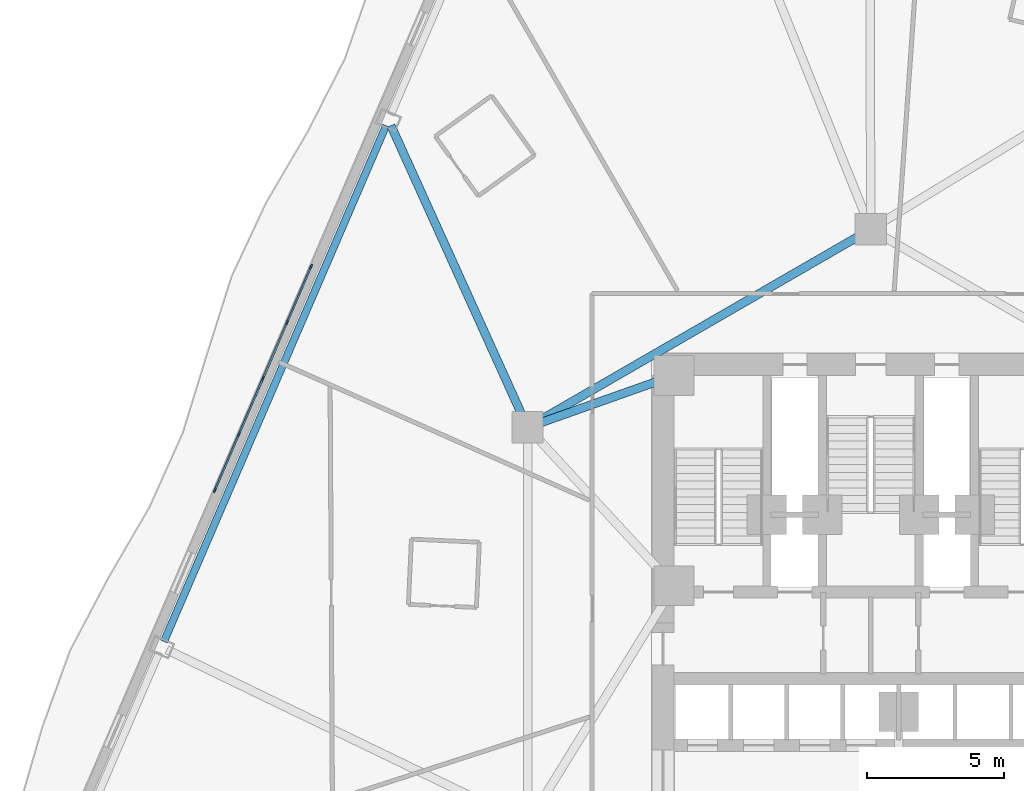
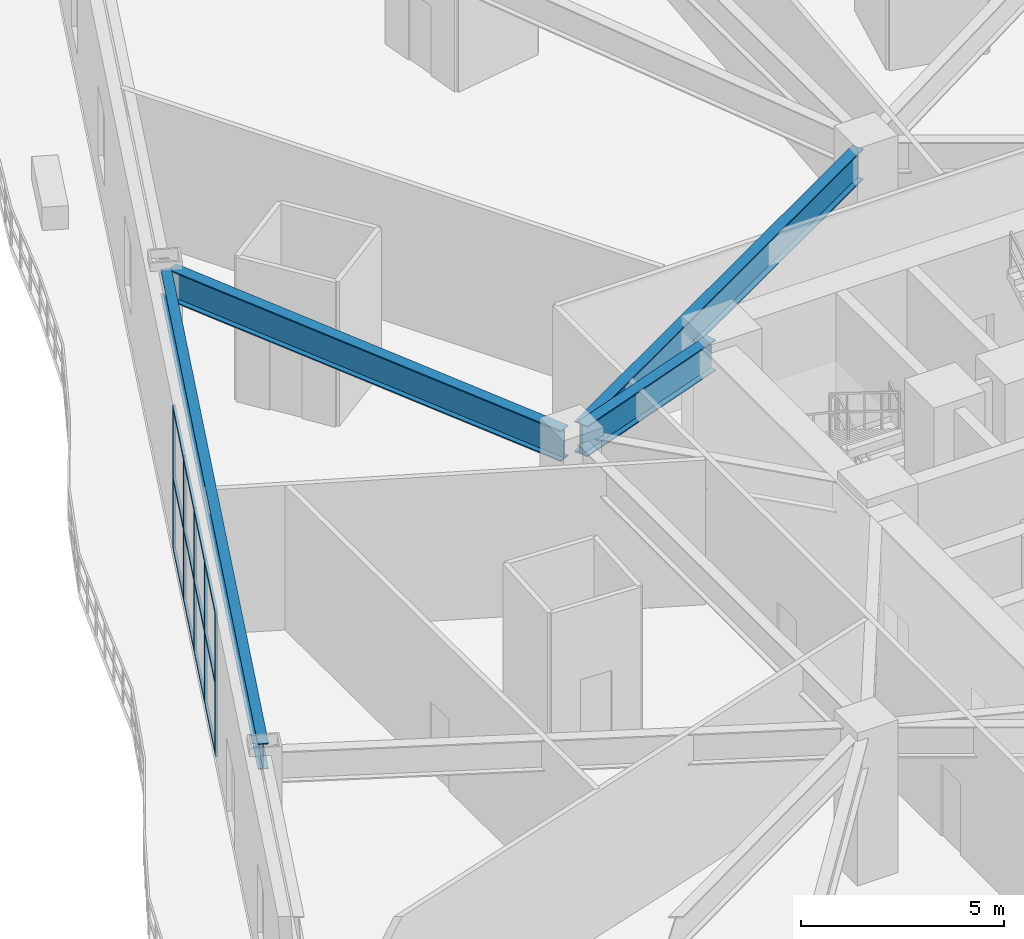
# One storey, part 4 of 21: 17 members, 4 beams, 1 element without a shape of its own.
"""IFC4 building model written with IfcOpenShell, lengths in metres."""

from ifc_helpers import new_model, si_unit, direction, frame, origin, origin_2d, place, context, subcontext, project, spatial, rectangle, i_section, extrude, material, layer, layer_set, material_profile, profile_set, type_object, element, aggregate, save


model = new_model("IFC4")

# Units and contexts
model_context = context("Model", 3, precision=1e-05, world=origin(), true_north=direction((0.0, 1.0)))
body_context = subcontext(model_context, "Body", "Model", "MODEL_VIEW")
ifc_project = project(units=[si_unit("LENGTHUNIT", "METRE"), si_unit("AREAUNIT", "SQUARE_METRE"), si_unit("VOLUMEUNIT", "CUBIC_METRE"), si_unit("PLANEANGLEUNIT", "RADIAN"), si_unit("MASSUNIT", "GRAM", prefix="KILO")], contexts=[model_context])

# Site, building, storey
site_placement = place(None, origin())
site = spatial("IfcSite", under=ifc_project, at=site_placement, CompositionType="ELEMENT")
building_placement = place(site_placement, origin())
building = spatial("IfcBuilding", under=site, at=building_placement, Name="Apsidion Concourse Tower", CompositionType="ELEMENT")
storey_placement = place(building_placement, frame((0.0, 0.0, 62.39990234375)))
storey = spatial("IfcBuildingStorey", under=building, at=storey_placement, Name="L13", CompositionType="ELEMENT", Elevation=62.39990234375)

# Beams
ifc_material_1 = material(Name="Structural steel ASTM A992 Grade 50", Category="steel")
ifc_material_profile_1 = material_profile(ifc_material_1, i_section(OverallWidth=0.31005859375, OverallDepth=0.931884765625, WebThickness=0.02099609375, FlangeThickness=0.034423828125, at=origin_2d()), Name="W36X210")
ifc_profile_set_1 = profile_set([ifc_material_profile_1], Name="Structural steel ASTM A992 Grade 50")
beam_type_1 = type_object("IfcBeamType", Name="BM-G-W36", PredefinedType="USERDEFINED", material=ifc_profile_set_1)
beam_1_placement = place(storey_placement, frame((-12.18310546875, 7.383544921875, 3.884033203125), z_axis=(0.942533844539, 0.334110688094, 0.0), x_axis=(-0.334110688094, 0.942533844539, 0.0)))
element("IfcBeam", 1, at=beam_1_placement, inside=storey, type_object=beam_type_1, Name="L13 Core Coupling Girder IC5-SC5", ObjectType="GIRDER", PredefinedType="USERDEFINED", context=body_context, shape_type="SweptSolid", body=[
    extrude(i_section(OverallWidth=0.31005859375, OverallDepth=0.931884765625, WebThickness=0.02099609375, FlangeThickness=0.034423828125, at=origin_2d()), origin(), (0.0, 0.0, 1.0), 4.886962890625),
])
beam_2_placement = place(storey_placement, frame((-12.213623046875, 7.449951171875, 3.884033203125), z_axis=(0.866070471464, 0.499921932364, 0.0), x_axis=(-0.499921932364, 0.866070471464, 0.0)))
element("IfcBeam", 2, at=beam_2_placement, inside=storey, type_object=beam_type_1, Name="L13 Core Coupling Girder IC5-IC4", ObjectType="GIRDER", PredefinedType="USERDEFINED", context=body_context, shape_type="SweptSolid", body=[
    extrude(i_section(OverallWidth=0.31005859375, OverallDepth=0.931884765625, WebThickness=0.02099609375, FlangeThickness=0.034423828125, at=origin_2d()), origin(), (0.0, 0.0, 1.0), 13.702392578125),
])
beam_3_placement = place(storey_placement, frame((-12.650634765625, 7.450439453125, 3.884033203125), z_axis=(-0.412253816474, 0.911069037342, 0.0), x_axis=(-0.911069037342, -0.412253816474, 0.0)))
element("IfcBeam", 3, at=beam_3_placement, inside=storey, type_object=beam_type_1, Name="L13 Radial Floor Girder RAD-02", ObjectType="GIRDER", PredefinedType="USERDEFINED", context=body_context, shape_type="SweptSolid", body=[
    extrude(i_section(OverallWidth=0.31005859375, OverallDepth=0.931884765625, WebThickness=0.02099609375, FlangeThickness=0.034423828125, at=origin_2d()), origin(), (0.0, 0.0, 1.0), 11.90234375),
])
ifc_material_profile_2 = material_profile(ifc_material_1, i_section(OverallWidth=0.26806640625, OverallDepth=0.77001953125, WebThickness=0.015625, FlangeThickness=0.025390625, at=origin_2d()), Name="W30X132")
ifc_profile_set_2 = profile_set([ifc_material_profile_2], Name="Structural steel ASTM A992 Grade 50")
beam_type_2 = type_object("IfcBeamType", Name="BM-SP-W30", PredefinedType="SPANDREL", material=ifc_profile_set_2)
beam_4_placement = place(storey_placement, frame((-17.735107421875, 18.29248046875, 3.965087890625), z_axis=(-0.395530023745, -0.918453047421, 0.0), x_axis=(0.918453047421, -0.395530023745, 0.0)))
element("IfcBeam", 4, at=beam_4_placement, inside=storey, type_object=beam_type_2, Name="L13 Perimeter Spandrel Girder SP-02", PredefinedType="SPANDREL", context=body_context, shape_type="SweptSolid", body=[
    extrude(i_section(OverallWidth=0.26806640625, OverallDepth=0.77001953125, WebThickness=0.015625, FlangeThickness=0.025390625, at=origin_2d()), origin(), (0.0, 0.0, 1.0), 20.5537109375),
])

# Curtain wall, members
ifc_material_2 = material(Name="Insulated laminated low-E glass", Category="glass")
ifc_layer = layer(ifc_material_2, 0.2099609375)
ifc_layer_set = layer_set([ifc_layer], Name="Insulated laminated low-E glass")
curtain_wall_type = type_object("IfcCurtainWallType", Name="CW-SYS-03", PredefinedType="NOTDEFINED", material=ifc_layer_set)
curtain_wall_placement = place(storey_placement, origin())
curtain_wall = element("IfcCurtainWall", 5, at=curtain_wall_placement, inside=storey, type_object=curtain_wall_type, Name="L13 Sky Lobby Curtain Wall 9", PredefinedType="NOTDEFINED")
ifc_material_3 = material(Name="Anodised aluminium EN AW-6063 T6", Category="aluminium")
ifc_material_profile_3 = material_profile(ifc_material_3, rectangle(XDim=0.06494140625, YDim=0.179931640625, at=origin_2d()), Name="ALU MULLION 65x180")
ifc_profile_set_3 = profile_set([ifc_material_profile_3], Name="Anodised aluminium EN AW-6063 T6")
member_type_1 = type_object("IfcMemberType", Name="CWM-65X180", PredefinedType="MULLION", material=ifc_profile_set_3)
member_1_placement = place(storey_placement, frame((-24.001953125, 4.9521484375, 0.0), z_axis=(0.0, 0.0, 1.0), x_axis=(-0.918500728554, 0.395419285879, 0.0)))
member_1 = element("IfcMember", 6, at=member_1_placement, type_object=member_type_1, Name="CW-03 mullion 1", PredefinedType="MULLION", context=body_context, shape_type="SweptSolid", body=[
    extrude(rectangle(XDim=0.06494140625, YDim=0.179931640625, at=origin_2d()), origin(), (0.0, 0.0, 1.0), 4.300048828125),
])
member_2_placement = place(storey_placement, frame((-23.12841796875, 6.9814453125, 0.0), z_axis=(0.0, 0.0, 1.0), x_axis=(-0.918500728554, 0.395419285879, 0.0)))
member_2 = element("IfcMember", 7, at=member_2_placement, type_object=member_type_1, Name="CW-03 mullion 2", PredefinedType="MULLION", context=body_context, shape_type="SweptSolid", body=[
    extrude(rectangle(XDim=0.06494140625, YDim=0.179931640625, at=origin_2d()), origin(), (0.0, 0.0, 1.0), 4.300048828125),
])
member_3_placement = place(storey_placement, frame((-22.24169921875, 9.040771484375, 0.0), z_axis=(0.0, 0.0, 1.0), x_axis=(-0.918500728554, 0.395419285879, 0.0)))
member_3 = element("IfcMember", 8, at=member_3_placement, type_object=member_type_1, Name="CW-03 mullion 3", PredefinedType="MULLION", context=body_context, shape_type="SweptSolid", body=[
    extrude(rectangle(XDim=0.06494140625, YDim=0.179931640625, at=origin_2d()), origin(), (0.0, 0.0, 1.0), 4.300048828125),
])
member_4_placement = place(storey_placement, frame((-21.355224609375, 11.10009765625, 0.0), z_axis=(0.0, 0.0, 1.0), x_axis=(-0.918500728554, 0.395419285879, 0.0)))
member_4 = element("IfcMember", 9, at=member_4_placement, type_object=member_type_1, Name="CW-03 mullion 4", PredefinedType="MULLION", context=body_context, shape_type="SweptSolid", body=[
    extrude(rectangle(XDim=0.06494140625, YDim=0.179931640625, at=origin_2d()), origin(), (0.0, 0.0, 1.0), 4.300048828125),
])
member_5_placement = place(storey_placement, frame((-20.4814453125, 13.129638671875, 0.0), z_axis=(0.0, 0.0, 1.0), x_axis=(-0.918500728554, 0.395419285879, 0.0)))
member_5 = element("IfcMember", 10, at=member_5_placement, type_object=member_type_1, Name="CW-03 mullion 5", PredefinedType="MULLION", context=body_context, shape_type="SweptSolid", body=[
    extrude(rectangle(XDim=0.06494140625, YDim=0.179931640625, at=origin_2d()), origin(), (0.0, 0.0, 1.0), 4.300048828125),
])
ifc_material_profile_4 = material_profile(ifc_material_3, rectangle(XDim=0.06494140625, YDim=0.139892578125, at=origin_2d()), Name="ALU TRANSOM 65x140")
ifc_profile_set_4 = profile_set([ifc_material_profile_4], Name="Anodised aluminium EN AW-6063 T6")
member_type_2 = type_object("IfcMemberType", Name="CWT-65X140", PredefinedType="USERDEFINED", material=ifc_profile_set_4)
member_6_placement = place(storey_placement, frame((-23.9892578125, 4.98193359375, 0.03271484375), z_axis=(0.395485027283, 0.918472423753, 0.0), x_axis=(-0.918472423753, 0.395485027283, 0.0)))
member_6 = element("IfcMember", 11, at=member_6_placement, type_object=member_type_2, Name="CW-03 transom 1.1", ObjectType="TRANSOM", PredefinedType="USERDEFINED", context=body_context, shape_type="SweptSolid", body=[
    extrude(rectangle(XDim=0.06494140625, YDim=0.139892578125, at=origin_2d()), origin(), (0.0, 0.0, 1.0), 2.14453125),
])
member_7_placement = place(storey_placement, frame((-23.9892578125, 4.98193359375, 2.150146484375), z_axis=(0.395485027283, 0.918472423753, 0.0), x_axis=(-0.918472423753, 0.395485027283, 0.0)))
member_7 = element("IfcMember", 12, at=member_7_placement, type_object=member_type_2, Name="CW-03 transom 1.2", ObjectType="TRANSOM", PredefinedType="USERDEFINED", context=body_context, shape_type="SweptSolid", body=[
    extrude(rectangle(XDim=0.06494140625, YDim=0.139892578125, at=origin_2d()), origin(), (0.0, 0.0, 1.0), 2.14453125),
])
member_8_placement = place(storey_placement, frame((-23.9892578125, 4.98193359375, 4.267578125), z_axis=(0.395485027283, 0.918472423753, 0.0), x_axis=(-0.918472423753, 0.395485027283, 0.0)))
member_8 = element("IfcMember", 13, at=member_8_placement, type_object=member_type_2, Name="CW-03 transom 1.3", ObjectType="TRANSOM", PredefinedType="USERDEFINED", context=body_context, shape_type="SweptSolid", body=[
    extrude(rectangle(XDim=0.06494140625, YDim=0.139892578125, at=origin_2d()), origin(), (0.0, 0.0, 1.0), 2.14453125),
])
member_9_placement = place(storey_placement, frame((-23.115478515625, 7.011474609375, 0.03271484375), z_axis=(0.395434697662, 0.918494093549, 0.0), x_axis=(-0.918494093549, 0.395434697662, 0.0)))
member_9 = element("IfcMember", 14, at=member_9_placement, type_object=member_type_2, Name="CW-03 transom 2.1", ObjectType="TRANSOM", PredefinedType="USERDEFINED", context=body_context, shape_type="SweptSolid", body=[
    extrude(rectangle(XDim=0.06494140625, YDim=0.139892578125, at=origin_2d()), origin(), (0.0, 0.0, 1.0), 2.177001953125),
])
member_10_placement = place(storey_placement, frame((-23.115478515625, 7.011474609375, 2.150146484375), z_axis=(0.395434697662, 0.918494093549, 0.0), x_axis=(-0.918494093549, 0.395434697662, 0.0)))
member_10 = element("IfcMember", 15, at=member_10_placement, type_object=member_type_2, Name="CW-03 transom 2.2", ObjectType="TRANSOM", PredefinedType="USERDEFINED", context=body_context, shape_type="SweptSolid", body=[
    extrude(rectangle(XDim=0.06494140625, YDim=0.139892578125, at=origin_2d()), origin(), (0.0, 0.0, 1.0), 2.177001953125),
])
member_11_placement = place(storey_placement, frame((-23.115478515625, 7.011474609375, 4.267578125), z_axis=(0.395434697662, 0.918494093549, 0.0), x_axis=(-0.918494093549, 0.395434697662, 0.0)))
member_11 = element("IfcMember", 16, at=member_11_placement, type_object=member_type_2, Name="CW-03 transom 2.3", ObjectType="TRANSOM", PredefinedType="USERDEFINED", context=body_context, shape_type="SweptSolid", body=[
    extrude(rectangle(XDim=0.06494140625, YDim=0.139892578125, at=origin_2d()), origin(), (0.0, 0.0, 1.0), 2.177001953125),
])
member_12_placement = place(storey_placement, frame((-22.22900390625, 9.07080078125, 0.03271484375), z_axis=(0.395434697662, 0.918494093549, 0.0), x_axis=(-0.918494093549, 0.395434697662, 0.0)))
member_12 = element("IfcMember", 17, at=member_12_placement, type_object=member_type_2, Name="CW-03 transom 3.1", ObjectType="TRANSOM", PredefinedType="USERDEFINED", context=body_context, shape_type="SweptSolid", body=[
    extrude(rectangle(XDim=0.06494140625, YDim=0.139892578125, at=origin_2d()), origin(), (0.0, 0.0, 1.0), 2.177001953125),
])
member_13_placement = place(storey_placement, frame((-22.22900390625, 9.07080078125, 2.150146484375), z_axis=(0.395434697662, 0.918494093549, 0.0), x_axis=(-0.918494093549, 0.395434697662, 0.0)))
member_13 = element("IfcMember", 18, at=member_13_placement, type_object=member_type_2, Name="CW-03 transom 3.2", ObjectType="TRANSOM", PredefinedType="USERDEFINED", context=body_context, shape_type="SweptSolid", body=[
    extrude(rectangle(XDim=0.06494140625, YDim=0.139892578125, at=origin_2d()), origin(), (0.0, 0.0, 1.0), 2.177001953125),
])
member_14_placement = place(storey_placement, frame((-22.22900390625, 9.07080078125, 4.267578125), z_axis=(0.395434697662, 0.918494093549, 0.0), x_axis=(-0.918494093549, 0.395434697662, 0.0)))
member_14 = element("IfcMember", 19, at=member_14_placement, type_object=member_type_2, Name="CW-03 transom 3.3", ObjectType="TRANSOM", PredefinedType="USERDEFINED", context=body_context, shape_type="SweptSolid", body=[
    extrude(rectangle(XDim=0.06494140625, YDim=0.139892578125, at=origin_2d()), origin(), (0.0, 0.0, 1.0), 2.177001953125),
])
member_15_placement = place(storey_placement, frame((-21.34228515625, 11.130126953125, 0.03271484375), z_axis=(0.395388985148, 0.918513772582, 0.0), x_axis=(-0.918513772582, 0.395388985148, 0.0)))
member_15 = element("IfcMember", 20, at=member_15_placement, type_object=member_type_2, Name="CW-03 transom 4.1", ObjectType="TRANSOM", PredefinedType="USERDEFINED", context=body_context, shape_type="SweptSolid", body=[
    extrude(rectangle(XDim=0.06494140625, YDim=0.139892578125, at=origin_2d()), origin(), (0.0, 0.0, 1.0), 2.14453125),
])
member_16_placement = place(storey_placement, frame((-21.34228515625, 11.130126953125, 2.150146484375), z_axis=(0.395388985148, 0.918513772582, 0.0), x_axis=(-0.918513772582, 0.395388985148, 0.0)))
member_16 = element("IfcMember", 21, at=member_16_placement, type_object=member_type_2, Name="CW-03 transom 4.2", ObjectType="TRANSOM", PredefinedType="USERDEFINED", context=body_context, shape_type="SweptSolid", body=[
    extrude(rectangle(XDim=0.06494140625, YDim=0.139892578125, at=origin_2d()), origin(), (0.0, 0.0, 1.0), 2.14453125),
])
member_17_placement = place(storey_placement, frame((-21.34228515625, 11.130126953125, 4.267578125), z_axis=(0.395388985148, 0.918513772582, 0.0), x_axis=(-0.918513772582, 0.395388985148, 0.0)))
member_17 = element("IfcMember", 22, at=member_17_placement, type_object=member_type_2, Name="CW-03 transom 4.3", ObjectType="TRANSOM", PredefinedType="USERDEFINED", context=body_context, shape_type="SweptSolid", body=[
    extrude(rectangle(XDim=0.06494140625, YDim=0.139892578125, at=origin_2d()), origin(), (0.0, 0.0, 1.0), 2.14453125),
])
aggregate(curtain_wall, [member_1, member_2, member_3, member_4, member_5, member_6, member_7, member_8, member_9, member_10, member_11, member_12, member_13, member_14, member_15, member_16, member_17])

save(model, "model.ifc")
